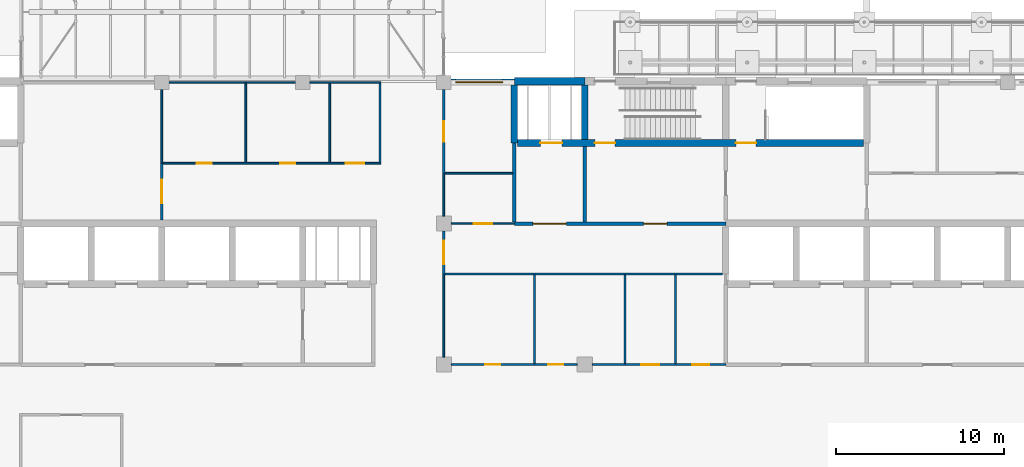
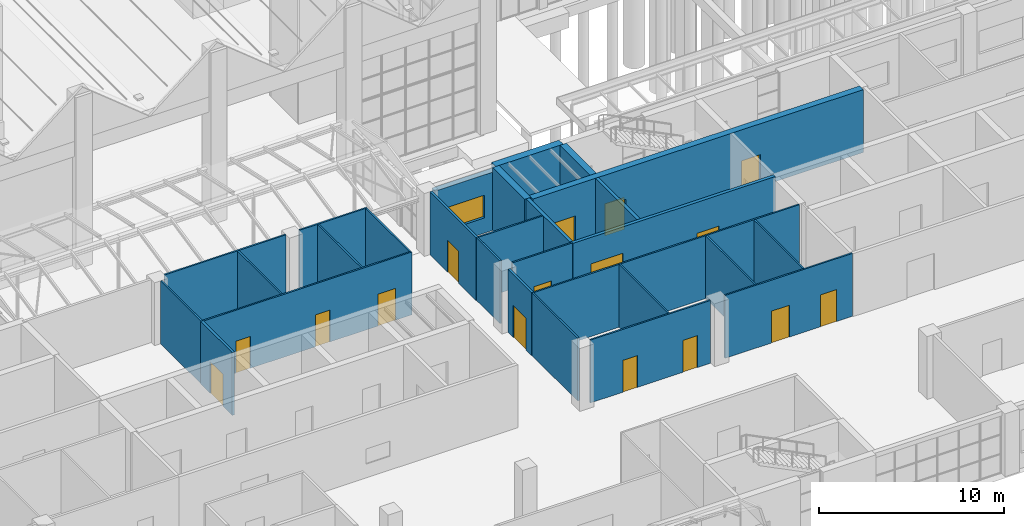
# One storey, part 101 of 138: 28 walls, 16 doors, 1 window, 17 openings.
"""IFC4 building model written with IfcOpenShell, lengths in metres."""

from ifc_helpers import new_model, si_unit, direction, frame, frame_2d, origin, place, context, subcontext, project, spatial, rectangle, extrude, material, layer, layer_set, type_object, element, fill, save


model = new_model("IFC4")

# Units and contexts
model_context = context("Model", 3, precision=1e-05, world=origin(), true_north=direction((0.0, 1.0)))
body_context = subcontext(model_context, "Body", "Model", "MODEL_VIEW")
ifc_project = project(units=[si_unit("LENGTHUNIT", "METRE"), si_unit("AREAUNIT", "SQUARE_METRE"), si_unit("VOLUMEUNIT", "CUBIC_METRE"), si_unit("PLANEANGLEUNIT", "RADIAN"), si_unit("MASSUNIT", "GRAM", prefix="KILO")], contexts=[model_context])

# Site, building, storey
site_placement = place(None, origin())
site = spatial("IfcSite", under=ifc_project, at=site_placement, CompositionType="ELEMENT")
building_placement = place(site_placement, origin())
building = spatial("IfcBuilding", under=site, at=building_placement, Name="Yavir Park General Hospital", CompositionType="ELEMENT")
storey_placement = place(building_placement, origin())
storey = spatial("IfcBuildingStorey", under=building, at=storey_placement, Name="L00", CompositionType="ELEMENT", Elevation=0.0)

# Wall, openings, doors
ifc_material_1 = material(Name="Double gypsum board fire partition on steel studs", Category="steel")
ifc_layer_1 = layer(ifc_material_1, 0.199951171875)
ifc_layer_set_1 = layer_set([ifc_layer_1], Name="Double gypsum board fire partition on steel studs")
wall_type_1 = type_object("IfcWallType", Name="Fire-rated partition 200, EI 60", PredefinedType="PARTITIONING", material=ifc_layer_set_1)
wall_1_placement = place(storey_placement, frame((105.0, 25.199951171875, 0.0), z_axis=(0.0, 0.0, 1.0), x_axis=(1.0, 0.0, 0.0)))
wall_1 = element("IfcWall", 1, at=wall_1_placement, inside=storey, type_object=wall_type_1, Name="FP20 L00-069", PredefinedType="PARTITIONING", context=body_context, shape_type="SweptSolid", body=[
    extrude(rectangle(XDim=12.60009765625, YDim=0.199951171875, at=frame_2d((6.300048828125, 0.0))), origin(), (0.0, 0.0, 1.0), 4.139892578125),
])
opening_1_placement = place(wall_1_placement, frame((1.10009765625, 0.0, 0.0)))
opening_1 = element("IfcOpeningElement", 2, at=opening_1_placement, cuts=wall_1, Name="Opening L00.D064", PredefinedType="OPENING", context=body_context, shape_type="SweptSolid", body=[
    extrude(rectangle(XDim=2.0, YDim=2.39990234375, at=frame_2d((1.0, 1.199951171875))), frame((0.0, 0.10986328125, 0.0), z_axis=(0.0, -1.0, 0.0), x_axis=(1.0, 0.0, 0.0)), (0.0, 0.0, 1.0), 0.219970703125),
])
opening_2_placement = place(wall_1_placement, frame((7.699951171875, 0.0, 0.0)))
opening_2 = element("IfcOpeningElement", 3, at=opening_2_placement, cuts=wall_1, Name="Opening L00.D065", PredefinedType="OPENING", context=body_context, shape_type="SweptSolid", body=[
    extrude(rectangle(XDim=1.39990234375, YDim=2.10009765625, at=frame_2d((0.699951171875, 1.050048828125))), frame((0.0, 0.10986328125, 0.0), z_axis=(0.0, -1.0, 0.0), x_axis=(1.0, 0.0, 0.0)), (0.0, 0.0, 1.0), 0.219970703125),
])
ifc_material_2 = material(Name="Steel frame, fire-resisting leaves with vision panels", Category="steel")
door_type_1 = type_object("IfcDoorType", Name="Double fire door with vision panels 1400 x 2100, EI 60", OperationType="DOUBLE_DOOR_SINGLE_SWING", PredefinedType="DOOR", material=ifc_material_2)
door_1_placement = place(opening_2_placement, origin())
door_1 = element("IfcDoor", 4, at=door_1_placement, inside=storey, type_object=door_type_1, Name="L00.D065", OperationType="SINGLE_SWING_RIGHT", OverallHeight=2.10009765625, OverallWidth=1.39990234375, PredefinedType="DOOR", context=body_context, shape_type="SweptSolid", body=[
    extrude(rectangle(XDim=1.39990234375, YDim=2.10009765625, at=frame_2d((0.699951171875, 1.050048828125))), frame((0.0, 0.030029296875, 0.0), z_axis=(0.0, -1.0, 0.0), x_axis=(1.0, 0.0, 0.0)), (0.0, 0.0, 1.0), 0.06005859375),
])
fill(opening_2, door_1)
ifc_material_3 = material(Name="Steel frame, fire-resisting leaves with vision panels", Category="steel")
door_type_2 = type_object("IfcDoorType", Name="Double fire door with vision panels 2000 x 2400, EI 60", OperationType="DOUBLE_DOOR_SINGLE_SWING", PredefinedType="DOOR", material=ifc_material_3)
door_2_placement = place(opening_1_placement, origin())
door_2 = element("IfcDoor", 5, at=door_2_placement, inside=storey, type_object=door_type_2, Name="L00.D064", OperationType="SINGLE_SWING_RIGHT", OverallHeight=2.39990234375, OverallWidth=2.0, PredefinedType="DOOR", context=body_context, shape_type="SweptSolid", body=[
    extrude(rectangle(XDim=2.0, YDim=2.39990234375, at=frame_2d((1.0, 1.199951171875))), frame((0.0, 0.030029296875, 0.0), z_axis=(0.0, -1.0, 0.0), x_axis=(1.0, 0.0, 0.0)), (0.0, 0.0, 1.0), 0.06005859375),
])
fill(opening_1, door_2)

# Walls
wall_2_placement = place(storey_placement, frame((105.0, 25.300048828125, 0.0), z_axis=(0.0, 0.0, 1.0), x_axis=(0.0, 1.0, 0.0)))
element("IfcWall", 6, at=wall_2_placement, inside=storey, type_object=wall_type_1, Name="FP20 L00-427", PredefinedType="PARTITIONING", context=body_context, shape_type="SweptSolid", body=[
    extrude(rectangle(XDim=4.699951171875, YDim=0.199951171875, at=frame_2d((2.35009765625, 0.0))), origin(), (0.0, 0.0, 1.0), 4.139892578125),
])
wall_3_placement = place(storey_placement, frame((109.199951171875, 25.300048828125, 0.0), z_axis=(0.0, 0.0, 1.0), x_axis=(0.0, 1.0, 0.0)))
element("IfcWall", 7, at=wall_3_placement, inside=storey, type_object=wall_type_1, Name="FP20 L00-433", PredefinedType="PARTITIONING", context=body_context, shape_type="SweptSolid", body=[
    extrude(rectangle(XDim=4.5, YDim=0.199951171875, at=frame_2d((2.25, 0.0))), origin(), (0.0, 0.0, 1.0), 4.139892578125),
])

# Wall, openings, doors
ifc_material_4 = material(Name="Gypsum board partition on steel studs", Category="steel")
ifc_layer_2 = layer(ifc_material_4, 0.10009765625)
ifc_layer_set_2 = layer_set([ifc_layer_2], Name="Gypsum board partition on steel studs")
wall_type_2 = type_object("IfcWallType", Name="Gypsum board partition 100", PredefinedType="PARTITIONING", material=ifc_layer_set_2)
wall_4_placement = place(storey_placement, frame((101.25, 16.800048828125, 0.0), z_axis=(0.0, 0.0, 1.0), x_axis=(1.0, 0.0, 0.0)))
wall_4 = element("IfcWall", 8, at=wall_4_placement, inside=storey, type_object=wall_type_2, Name="P10 L00-042", PredefinedType="PARTITIONING", context=body_context, shape_type="SweptSolid", body=[
    extrude(rectangle(XDim=7.5, YDim=0.10009765625, at=frame_2d((3.75, 0.0))), origin(), (0.0, 0.0, 1.0), 4.139892578125),
])
opening_3_placement = place(wall_4_placement, frame((2.02490234375, 0.0, 0.0)))
opening_3 = element("IfcOpeningElement", 9, at=opening_3_placement, cuts=wall_4, Name="Opening L00.D038", PredefinedType="OPENING", context=body_context, shape_type="SweptSolid", body=[
    extrude(rectangle(XDim=0.89990234375, YDim=2.10009765625, at=frame_2d((0.449951171875, 1.050048828125))), frame((0.0, 0.06005859375, 0.0), z_axis=(0.0, -1.0, 0.0), x_axis=(1.0, 0.0, 0.0)), (0.0, 0.0, 1.0), 0.1201171875),
])
opening_4_placement = place(wall_4_placement, frame((5.77490234375, 0.0, 0.0)))
opening_4 = element("IfcOpeningElement", 10, at=opening_4_placement, cuts=wall_4, Name="Opening L00.D039", PredefinedType="OPENING", context=body_context, shape_type="SweptSolid", body=[
    extrude(rectangle(XDim=0.89990234375, YDim=2.10009765625, at=frame_2d((0.449951171875, 1.050048828125))), frame((0.0, 0.06005859375, 0.0), z_axis=(0.0, -1.0, 0.0), x_axis=(1.0, 0.0, 0.0)), (0.0, 0.0, 1.0), 0.1201171875),
])
ifc_material_5 = material(Name="Timber frame, hollow-core leaf", Category="wood")
door_type_3 = type_object("IfcDoorType", Name="Light cupboard door 900 x 2100", OperationType="SINGLE_SWING_LEFT", PredefinedType="DOOR", material=ifc_material_5)
door_3_placement = place(opening_3_placement, origin())
door_3 = element("IfcDoor", 11, at=door_3_placement, inside=storey, type_object=door_type_3, Name="L00.D038", OperationType="SINGLE_SWING_RIGHT", OverallHeight=2.10009765625, OverallWidth=0.89990234375, PredefinedType="DOOR", context=body_context, shape_type="SweptSolid", body=[
    extrude(rectangle(XDim=0.89990234375, YDim=2.10009765625, at=frame_2d((0.449951171875, 1.050048828125))), frame((0.0, 0.02001953125, 0.0), z_axis=(0.0, -1.0, 0.0), x_axis=(1.0, 0.0, 0.0)), (0.0, 0.0, 1.0), 0.0400390625),
])
fill(opening_3, door_3)
door_4_placement = place(opening_4_placement, origin())
door_4 = element("IfcDoor", 12, at=door_4_placement, inside=storey, type_object=door_type_3, Name="L00.D039", OperationType="SINGLE_SWING_LEFT", OverallHeight=2.10009765625, OverallWidth=0.89990234375, PredefinedType="DOOR", context=body_context, shape_type="SweptSolid", body=[
    extrude(rectangle(XDim=0.89990234375, YDim=2.10009765625, at=frame_2d((0.449951171875, 1.050048828125))), frame((0.0, 0.02001953125, 0.0), z_axis=(0.0, -1.0, 0.0), x_axis=(1.0, 0.0, 0.0)), (0.0, 0.0, 1.0), 0.0400390625),
])
fill(opening_4, door_4)

wall_5_placement = place(storey_placement, frame((109.64990234375, 16.800048828125, 0.0), z_axis=(0.0, 0.0, 1.0), x_axis=(1.0, 0.0, 0.0)))
wall_5 = element("IfcWall", 13, at=wall_5_placement, inside=storey, type_object=wall_type_2, Name="P10 L00-043", PredefinedType="PARTITIONING", context=body_context, shape_type="SweptSolid", body=[
    extrude(rectangle(XDim=7.9501953125, YDim=0.10009765625, at=frame_2d((3.97509765625, 0.0))), origin(), (0.0, 0.0, 1.0), 4.139892578125),
])
opening_5_placement = place(wall_5_placement, frame((2.89990234375, 0.0, 0.0)))
opening_5 = element("IfcOpeningElement", 14, at=opening_5_placement, cuts=wall_5, Name="Opening L00.D040", PredefinedType="OPENING", context=body_context, shape_type="SweptSolid", body=[
    extrude(rectangle(XDim=1.10009765625, YDim=2.10009765625, at=frame_2d((0.550048828125, 1.050048828125))), frame((0.0, 0.06005859375, 0.0), z_axis=(0.0, -1.0, 0.0), x_axis=(1.0, 0.0, 0.0)), (0.0, 0.0, 1.0), 0.1201171875),
])
opening_6_placement = place(wall_5_placement, frame((5.949951171875, 0.0, 0.0)))
opening_6 = element("IfcOpeningElement", 15, at=opening_6_placement, cuts=wall_5, Name="Opening L00.D041", PredefinedType="OPENING", context=body_context, shape_type="SweptSolid", body=[
    extrude(rectangle(XDim=1.0, YDim=2.10009765625, at=frame_2d((0.5, 1.050048828125))), frame((0.0, 0.06005859375, 0.0), z_axis=(0.0, -1.0, 0.0), x_axis=(1.0, 0.0, 0.0)), (0.0, 0.0, 1.0), 0.1201171875),
])
ifc_material_6 = material(Name="Hollow metal frame, solid-core timber leaf", Category="wood")
door_type_4 = type_object("IfcDoorType", Name="Single swing door 1000 x 2100", OperationType="SINGLE_SWING_LEFT", PredefinedType="DOOR", material=ifc_material_6)
door_5_placement = place(opening_6_placement, origin())
door_5 = element("IfcDoor", 16, at=door_5_placement, inside=storey, type_object=door_type_4, Name="L00.D041", OperationType="SINGLE_SWING_RIGHT", OverallHeight=2.10009765625, OverallWidth=1.0, PredefinedType="DOOR", context=body_context, shape_type="SweptSolid", body=[
    extrude(rectangle(XDim=1.0, YDim=2.10009765625, at=frame_2d((0.5, 1.050048828125))), frame((0.0, 0.02490234375, 0.0), z_axis=(0.0, -1.0, 0.0), x_axis=(1.0, 0.0, 0.0)), (0.0, 0.0, 1.0), 0.050048828125),
])
fill(opening_6, door_5)
ifc_material_7 = material(Name="Hollow metal frame, solid-core timber leaf", Category="wood")
door_type_5 = type_object("IfcDoorType", Name="Single swing door 1100 x 2100", OperationType="SINGLE_SWING_LEFT", PredefinedType="DOOR", material=ifc_material_7)
door_6_placement = place(opening_5_placement, origin())
door_6 = element("IfcDoor", 17, at=door_6_placement, inside=storey, type_object=door_type_5, Name="L00.D040", OperationType="SINGLE_SWING_LEFT", OverallHeight=2.10009765625, OverallWidth=1.10009765625, PredefinedType="DOOR", context=body_context, shape_type="SweptSolid", body=[
    extrude(rectangle(XDim=1.10009765625, YDim=2.10009765625, at=frame_2d((0.550048828125, 1.050048828125))), frame((0.0, 0.02490234375, 0.0), z_axis=(0.0, -1.0, 0.0), x_axis=(1.0, 0.0, 0.0)), (0.0, 0.0, 1.0), 0.050048828125),
])
fill(opening_5, door_6)

# Wall
wall_6_placement = place(storey_placement, frame((100.875, 22.199951171875, 0.0), z_axis=(0.0, 0.0, 1.0), x_axis=(1.0, 0.0, 0.0)))
element("IfcWall", 18, at=wall_6_placement, inside=storey, type_object=wall_type_2, Name="P10 L00-056", PredefinedType="PARTITIONING", context=body_context, shape_type="SweptSolid", body=[
    extrude(rectangle(XDim=16.52490234375, YDim=0.10009765625, at=frame_2d((8.262451171875, 0.0))), origin(), (0.0, 0.0, 1.0), 4.139892578125),
])

# Wall, opening, door
wall_7_placement = place(storey_placement, frame((101.25, 25.199951171875, 0.0), z_axis=(0.0, 0.0, 1.0), x_axis=(1.0, 0.0, 0.0)))
wall_7 = element("IfcWall", 19, at=wall_7_placement, inside=storey, type_object=wall_type_2, Name="P10 L00-068", PredefinedType="PARTITIONING", context=body_context, shape_type="SweptSolid", body=[
    extrude(rectangle(XDim=3.75, YDim=0.10009765625, at=frame_2d((1.875, 0.0))), origin(), (0.0, 0.0, 1.0), 4.139892578125),
])
opening_7_placement = place(wall_7_placement, frame((1.324951171875, 0.0, 0.0)))
opening_7 = element("IfcOpeningElement", 20, at=opening_7_placement, cuts=wall_7, Name="Opening L00.D063", PredefinedType="OPENING", context=body_context, shape_type="SweptSolid", body=[
    extrude(rectangle(XDim=1.10009765625, YDim=2.10009765625, at=frame_2d((0.550048828125, 1.050048828125))), frame((0.0, 0.06005859375, 0.0), z_axis=(0.0, -1.0, 0.0), x_axis=(1.0, 0.0, 0.0)), (0.0, 0.0, 1.0), 0.1201171875),
])
door_7_placement = place(opening_7_placement, origin())
door_7 = element("IfcDoor", 21, at=door_7_placement, inside=storey, type_object=door_type_5, Name="L00.D063", OperationType="SINGLE_SWING_RIGHT", OverallHeight=2.10009765625, OverallWidth=1.10009765625, PredefinedType="DOOR", context=body_context, shape_type="SweptSolid", body=[
    extrude(rectangle(XDim=1.10009765625, YDim=2.10009765625, at=frame_2d((0.550048828125, 1.050048828125))), frame((0.0, 0.02490234375, 0.0), z_axis=(0.0, -1.0, 0.0), x_axis=(1.0, 0.0, 0.0)), (0.0, 0.0, 1.0), 0.050048828125),
])
fill(opening_7, door_7)

# Wall
wall_8_placement = place(storey_placement, frame((100.875, 28.199951171875, 0.0), z_axis=(0.0, 0.0, 1.0), x_axis=(1.0, 0.0, 0.0)))
element("IfcWall", 22, at=wall_8_placement, inside=storey, type_object=wall_type_2, Name="P10 L00-075", PredefinedType="PARTITIONING", context=body_context, shape_type="SweptSolid", body=[
    extrude(rectangle(XDim=4.02490234375, YDim=0.10009765625, at=frame_2d((2.012451171875, 0.0))), origin(), (0.0, 0.0, 1.0), 4.139892578125),
])

# Wall, openings, doors
wall_9_placement = place(storey_placement, frame((84.074951171875, 28.800048828125, 0.0), z_axis=(0.0, 0.0, 1.0), x_axis=(1.0, 0.0, 0.0)))
wall_9 = element("IfcWall", 23, at=wall_9_placement, inside=storey, type_object=wall_type_2, Name="P10 L00-078", PredefinedType="PARTITIONING", context=body_context, shape_type="SweptSolid", body=[
    extrude(rectangle(XDim=12.97509765625, YDim=0.10009765625, at=frame_2d((6.487548828125, 0.0))), origin(), (0.0, 0.0, 1.0), 4.139892578125),
])
opening_8_placement = place(wall_9_placement, frame((2.012451171875, 0.0, 0.0)))
opening_8 = element("IfcOpeningElement", 24, at=opening_8_placement, cuts=wall_9, Name="Opening L00.D072", PredefinedType="OPENING", context=body_context, shape_type="SweptSolid", body=[
    extrude(rectangle(XDim=0.89990234375, YDim=2.10009765625, at=frame_2d((0.449951171875, 1.050048828125))), frame((0.0, 0.06005859375, 0.0), z_axis=(0.0, -1.0, 0.0), x_axis=(1.0, 0.0, 0.0)), (0.0, 0.0, 1.0), 0.1201171875),
])
opening_9_placement = place(wall_9_placement, frame((6.97509765625, 0.0, 0.0)))
opening_9 = element("IfcOpeningElement", 25, at=opening_9_placement, cuts=wall_9, Name="Opening L00.D073", PredefinedType="OPENING", context=body_context, shape_type="SweptSolid", body=[
    extrude(rectangle(XDim=0.89990234375, YDim=2.10009765625, at=frame_2d((0.449951171875, 1.050048828125))), frame((0.0, 0.06005859375, 0.0), z_axis=(0.0, -1.0, 0.0), x_axis=(1.0, 0.0, 0.0)), (0.0, 0.0, 1.0), 0.1201171875),
])
opening_10_placement = place(wall_9_placement, frame((10.875, 0.0, 0.0)))
opening_10 = element("IfcOpeningElement", 26, at=opening_10_placement, cuts=wall_9, Name="Opening L00.D074", PredefinedType="OPENING", context=body_context, shape_type="SweptSolid", body=[
    extrude(rectangle(XDim=1.10009765625, YDim=2.10009765625, at=frame_2d((0.550048828125, 1.050048828125))), frame((0.0, 0.06005859375, 0.0), z_axis=(0.0, -1.0, 0.0), x_axis=(1.0, 0.0, 0.0)), (0.0, 0.0, 1.0), 0.1201171875),
])
door_8_placement = place(opening_8_placement, origin())
door_8 = element("IfcDoor", 27, at=door_8_placement, inside=storey, type_object=door_type_3, Name="L00.D072", OperationType="SINGLE_SWING_LEFT", OverallHeight=2.10009765625, OverallWidth=0.89990234375, PredefinedType="DOOR", context=body_context, shape_type="SweptSolid", body=[
    extrude(rectangle(XDim=0.89990234375, YDim=2.10009765625, at=frame_2d((0.449951171875, 1.050048828125))), frame((0.0, 0.02001953125, 0.0), z_axis=(0.0, -1.0, 0.0), x_axis=(1.0, 0.0, 0.0)), (0.0, 0.0, 1.0), 0.0400390625),
])
fill(opening_8, door_8)
door_9_placement = place(opening_9_placement, origin())
door_9 = element("IfcDoor", 28, at=door_9_placement, inside=storey, type_object=door_type_3, Name="L00.D073", OperationType="SINGLE_SWING_RIGHT", OverallHeight=2.10009765625, OverallWidth=0.89990234375, PredefinedType="DOOR", context=body_context, shape_type="SweptSolid", body=[
    extrude(rectangle(XDim=0.89990234375, YDim=2.10009765625, at=frame_2d((0.449951171875, 1.050048828125))), frame((0.0, 0.02001953125, 0.0), z_axis=(0.0, -1.0, 0.0), x_axis=(1.0, 0.0, 0.0)), (0.0, 0.0, 1.0), 0.0400390625),
])
fill(opening_9, door_9)
door_10_placement = place(opening_10_placement, origin())
door_10 = element("IfcDoor", 29, at=door_10_placement, inside=storey, type_object=door_type_5, Name="L00.D074", OperationType="SINGLE_SWING_RIGHT", OverallHeight=2.10009765625, OverallWidth=1.10009765625, PredefinedType="DOOR", context=body_context, shape_type="SweptSolid", body=[
    extrude(rectangle(XDim=1.10009765625, YDim=2.10009765625, at=frame_2d((0.550048828125, 1.050048828125))), frame((0.0, 0.02490234375, 0.0), z_axis=(0.0, -1.0, 0.0), x_axis=(1.0, 0.0, 0.0)), (0.0, 0.0, 1.0), 0.050048828125),
])
fill(opening_10, door_10)

# Walls
wall_10_placement = place(storey_placement, frame((84.425048828125, 33.60009765625, 0.0), z_axis=(0.0, 0.0, 1.0), x_axis=(1.0, 0.0, 0.0)))
element("IfcWall", 30, at=wall_10_placement, inside=storey, type_object=wall_type_2, Name="P10 L00-090", PredefinedType="PARTITIONING", context=body_context, shape_type="SweptSolid", body=[
    extrude(rectangle(XDim=7.550048828125, YDim=0.10009765625, at=frame_2d((3.77490234375, 0.0))), origin(), (0.0, 0.0, 1.0), 4.139892578125),
])
wall_11_placement = place(storey_placement, frame((92.824951171875, 33.60009765625, 0.0), z_axis=(0.0, 0.0, 1.0), x_axis=(1.0, 0.0, 0.0)))
element("IfcWall", 31, at=wall_11_placement, inside=storey, type_object=wall_type_2, Name="P10 L00-091", PredefinedType="PARTITIONING", context=body_context, shape_type="SweptSolid", body=[
    extrude(rectangle(XDim=4.22509765625, YDim=0.10009765625, at=frame_2d((2.112548828125, 0.0))), origin(), (0.0, 0.0, 1.0), 4.139892578125),
])
wall_12_placement = place(storey_placement, frame((84.0, 28.800048828125, 0.0), z_axis=(0.0, 0.0, 1.0), x_axis=(0.0, 1.0, 0.0)))
element("IfcWall", 32, at=wall_12_placement, inside=storey, type_object=wall_type_2, Name="P10 L00-406", PredefinedType="PARTITIONING", context=body_context, shape_type="SweptSolid", body=[
    extrude(rectangle(XDim=4.375, YDim=0.10009765625, at=frame_2d((2.1875, 0.0))), origin(), (0.0, 0.0, 1.0), 4.139892578125),
])
for number, where, z_axis, x_axis, name in (
    (33, (89.0, 28.85009765625, 0.0), (0.0, 0.0, 1.0), (0.0, 1.0, 0.0), "P10 L00-409"),
    (34, (94.0, 28.85009765625, 0.0), (0.0, 0.0, 1.0), (0.0, 1.0, 0.0), "P10 L00-412"),
    (35, (97.0, 28.85009765625, 0.0), (0.0, 0.0, 1.0), (0.0, 1.0, 0.0), "P10 L00-415"),
):
    element("IfcWall", number, at=place(storey_placement, frame(where, z_axis=z_axis, x_axis=x_axis)), inside=storey, type_object=wall_type_2, Name=name, PredefinedType="PARTITIONING", context=body_context, shape_type="SweptSolid", body=[
        extrude(rectangle(XDim=4.699951171875, YDim=0.10009765625, at=frame_2d((2.35009765625, 0.0))), origin(), (0.0, 0.0, 1.0), 4.139892578125),
    ])
wall_13_placement = place(storey_placement, frame((100.800048828125, 17.25, 0.0), z_axis=(0.0, 0.0, 1.0), x_axis=(0.0, 1.0, 0.0)))
element("IfcWall", 36, at=wall_13_placement, inside=storey, type_object=wall_type_2, Name="P10 L00-419", PredefinedType="PARTITIONING", context=body_context, shape_type="SweptSolid", body=[
    extrude(rectangle(XDim=4.949951171875, YDim=0.10009765625, at=frame_2d((2.47509765625, 0.0))), origin(), (0.0, 0.0, 1.0), 4.139892578125),
])
wall_14_placement = place(storey_placement, frame((100.800048828125, 25.64990234375, 0.0), z_axis=(0.0, 0.0, 1.0), x_axis=(0.0, 1.0, 0.0)))
element("IfcWall", 37, at=wall_14_placement, inside=storey, type_object=wall_type_2, Name="P10 L00-421", PredefinedType="PARTITIONING", context=body_context, shape_type="SweptSolid", body=[
    extrude(rectangle(XDim=2.550048828125, YDim=0.10009765625, at=frame_2d((1.27490234375, 0.0))), origin(), (0.0, 0.0, 1.0), 4.139892578125),
])
for number, where, z_axis, x_axis, name in (
    (38, (106.199951171875, 16.85009765625, 0.0), (0.0, 0.0, 1.0), (0.0, 1.0, 0.0), "P10 L00-429"),
    (39, (111.60009765625, 16.85009765625, 0.0), (0.0, 0.0, 1.0), (0.0, 1.0, 0.0), "P10 L00-436"),
    (40, (114.60009765625, 16.85009765625, 0.0), (0.0, 0.0, 1.0), (0.0, 1.0, 0.0), "P10 L00-437"),
):
    element("IfcWall", number, at=place(storey_placement, frame(where, z_axis=z_axis, x_axis=x_axis)), inside=storey, type_object=wall_type_2, Name=name, PredefinedType="PARTITIONING", context=body_context, shape_type="SweptSolid", body=[
        extrude(rectangle(XDim=5.2998046875, YDim=0.10009765625, at=frame_2d((2.64990234375, 0.0))), origin(), (0.0, 0.0, 1.0), 4.139892578125),
    ])

# Wall, opening, door
ifc_material_8 = material(Name="Gypsum board partition on steel studs", Category="steel")
ifc_layer_3 = layer(ifc_material_8, 0.14990234375)
ifc_layer_set_3 = layer_set([ifc_layer_3], Name="Gypsum board partition on steel studs")
wall_type_3 = type_object("IfcWallType", Name="Gypsum board partition 150", PredefinedType="PARTITIONING", material=ifc_layer_set_3)
wall_15_placement = place(storey_placement, frame((84.0, 25.39990234375, 0.0), z_axis=(0.0, 0.0, 1.0), x_axis=(0.0, 1.0, 0.0)))
wall_15 = element("IfcWall", 41, at=wall_15_placement, inside=storey, type_object=wall_type_3, Name="P15 L00-405", PredefinedType="PARTITIONING", context=body_context, shape_type="SweptSolid", body=[
    extrude(rectangle(XDim=3.400146484375, YDim=0.14990234375, at=frame_2d((1.7001953125, 0.0))), origin(), (0.0, 0.0, 1.0), 4.139892578125),
])
opening_11_placement = place(wall_15_placement, frame((1.0, 0.0, 0.0)))
opening_11 = element("IfcOpeningElement", 42, at=opening_11_placement, cuts=wall_15, Name="Opening L00.D201", PredefinedType="OPENING", context=body_context, shape_type="SweptSolid", body=[
    extrude(rectangle(XDim=1.39990234375, YDim=2.10009765625, at=frame_2d((0.699951171875, 1.050048828125))), frame((0.0, 0.0849609375, 0.0), z_axis=(0.0, -1.0, 0.0), x_axis=(1.0, 0.0, 0.0)), (0.0, 0.0, 1.0), 0.169921875),
])
ifc_material_9 = material(Name="Hollow metal frame, solid-core timber leaf", Category="wood")
door_type_6 = type_object("IfcDoorType", Name="Double swing door 1400 x 2100", OperationType="DOUBLE_DOOR_SINGLE_SWING", PredefinedType="DOOR", material=ifc_material_9)
door_11_placement = place(opening_11_placement, origin())
door_11 = element("IfcDoor", 43, at=door_11_placement, inside=storey, type_object=door_type_6, Name="L00.D201", OperationType="SINGLE_SWING_RIGHT", OverallHeight=2.10009765625, OverallWidth=1.39990234375, PredefinedType="DOOR", context=body_context, shape_type="SweptSolid", body=[
    extrude(rectangle(XDim=1.39990234375, YDim=2.10009765625, at=frame_2d((0.699951171875, 1.050048828125))), frame((0.0, 0.02490234375, 0.0), z_axis=(0.0, -1.0, 0.0), x_axis=(1.0, 0.0, 0.0)), (0.0, 0.0, 1.0), 0.050048828125),
])
fill(opening_11, door_11)

wall_16_placement = place(storey_placement, frame((100.800048828125, 22.199951171875, 0.0), z_axis=(0.0, 0.0, 1.0), x_axis=(0.0, 1.0, 0.0)))
wall_16 = element("IfcWall", 44, at=wall_16_placement, inside=storey, type_object=wall_type_3, Name="P15 L00-420", PredefinedType="PARTITIONING", context=body_context, shape_type="SweptSolid", body=[
    extrude(rectangle(XDim=2.550048828125, YDim=0.14990234375, at=frame_2d((1.27490234375, 0.0))), origin(), (0.0, 0.0, 1.0), 4.139892578125),
])
opening_12_placement = place(wall_16_placement, frame((0.574951171875, 0.0, 0.0)))
opening_12 = element("IfcOpeningElement", 45, at=opening_12_placement, cuts=wall_16, Name="Opening L00.D204", PredefinedType="OPENING", context=body_context, shape_type="SweptSolid", body=[
    extrude(rectangle(XDim=1.39990234375, YDim=2.10009765625, at=frame_2d((0.699951171875, 1.050048828125))), frame((0.0, 0.0849609375, 0.0), z_axis=(0.0, -1.0, 0.0), x_axis=(1.0, 0.0, 0.0)), (0.0, 0.0, 1.0), 0.169921875),
])
door_12_placement = place(opening_12_placement, origin())
door_12 = element("IfcDoor", 46, at=door_12_placement, inside=storey, type_object=door_type_6, Name="L00.D204", OperationType="SINGLE_SWING_LEFT", OverallHeight=2.10009765625, OverallWidth=1.39990234375, PredefinedType="DOOR", context=body_context, shape_type="SweptSolid", body=[
    extrude(rectangle(XDim=1.39990234375, YDim=2.10009765625, at=frame_2d((0.699951171875, 1.050048828125))), frame((0.0, 0.02490234375, 0.0), z_axis=(0.0, -1.0, 0.0), x_axis=(1.0, 0.0, 0.0)), (0.0, 0.0, 1.0), 0.050048828125),
])
fill(opening_12, door_12)

wall_17_placement = place(storey_placement, frame((100.800048828125, 28.199951171875, 0.0), z_axis=(0.0, 0.0, 1.0), x_axis=(0.0, 1.0, 0.0)))
wall_17 = element("IfcWall", 47, at=wall_17_placement, inside=storey, type_object=wall_type_3, Name="P15 L00-422", PredefinedType="PARTITIONING", context=body_context, shape_type="SweptSolid", body=[
    extrude(rectangle(XDim=4.97509765625, YDim=0.14990234375, at=frame_2d((2.487548828125, 0.0))), origin(), (0.0, 0.0, 1.0), 4.139892578125),
])
opening_13_placement = place(wall_17_placement, frame((1.887451171875, 0.0, 0.0)))
opening_13 = element("IfcOpeningElement", 48, at=opening_13_placement, cuts=wall_17, Name="Opening L00.D205", PredefinedType="OPENING", context=body_context, shape_type="SweptSolid", body=[
    extrude(rectangle(XDim=1.199951171875, YDim=2.10009765625, at=frame_2d((0.60009765625, 1.050048828125))), frame((0.0, 0.0849609375, 0.0), z_axis=(0.0, -1.0, 0.0), x_axis=(1.0, 0.0, 0.0)), (0.0, 0.0, 1.0), 0.169921875),
])
ifc_material_10 = material(Name="Hollow metal frame, solid-core timber leaf", Category="wood")
door_type_7 = type_object("IfcDoorType", Name="Single swing door 1200 x 2100", OperationType="SINGLE_SWING_LEFT", PredefinedType="DOOR", material=ifc_material_10)
door_13_placement = place(opening_13_placement, origin())
door_13 = element("IfcDoor", 49, at=door_13_placement, inside=storey, type_object=door_type_7, Name="L00.D205", OperationType="SINGLE_SWING_LEFT", OverallHeight=2.10009765625, OverallWidth=1.199951171875, PredefinedType="DOOR", context=body_context, shape_type="SweptSolid", body=[
    extrude(rectangle(XDim=1.199951171875, YDim=2.10009765625, at=frame_2d((0.60009765625, 1.050048828125))), frame((0.0, 0.02490234375, 0.0), z_axis=(0.0, -1.0, 0.0), x_axis=(1.0, 0.0, 0.0)), (0.0, 0.0, 1.0), 0.050048828125),
])
fill(opening_13, door_13)

# Wall, opening, window
ifc_material_11 = material(Name="Concrete C30/37 precast panel with 120 mm mineral wool insulation", Category="concrete")
ifc_layer_4 = layer(ifc_material_11, 0.35009765625)
ifc_layer_set_4 = layer_set([ifc_layer_4], Name="Concrete C30/37 precast panel with 120 mm mineral wool insulation")
wall_type_4 = type_object("IfcWallType", Name="Precast cladding panel podium wall 350, E 30", PredefinedType="SOLIDWALL", material=ifc_layer_set_4)
wall_18_placement = place(storey_placement, frame((101.22509765625, 33.625, 0.0), z_axis=(0.0, 0.0, 1.0), x_axis=(1.0, 0.0, 0.0)))
wall_18 = element("IfcWall", 50, at=wall_18_placement, inside=storey, type_object=wall_type_4, Name="XW2 L00-045", PredefinedType="SOLIDWALL", context=body_context, shape_type="SweptSolid", body=[
    extrude(rectangle(XDim=3.77490234375, YDim=0.35009765625, at=frame_2d((1.887451171875, 0.0))), origin(), (0.0, 0.0, 1.0), 3.840087890625),
])
opening_14_placement = place(wall_18_placement, frame((0.27490234375, 0.0, 1.0)))
opening_14 = element("IfcOpeningElement", 51, at=opening_14_placement, cuts=wall_18, Name="Opening WRB2", PredefinedType="OPENING", context=body_context, shape_type="SweptSolid", body=[
    extrude(rectangle(XDim=2.800048828125, YDim=1.5, at=frame_2d((1.39990234375, 0.75))), frame((0.0, 0.18505859375, 0.0), z_axis=(0.0, -1.0, 0.0), x_axis=(1.0, 0.0, 0.0)), (0.0, 0.0, 1.0), 0.3701171875),
])
ifc_material_12 = material(Name="Aluminium frame, double glazed unit", Category="aluminium")
window_type = type_object("IfcWindowType", Name="Tall ribbon window 2800 x 1500", PartitioningType="DOUBLE_PANEL_VERTICAL", PredefinedType="WINDOW", material=ifc_material_12)
window_placement = place(opening_14_placement, origin())
window = element("IfcWindow", 52, at=window_placement, inside=storey, type_object=window_type, Name="WRB2 L00-011", OverallHeight=1.5, OverallWidth=2.800048828125, PartitioningType="DOUBLE_PANEL_VERTICAL", PredefinedType="WINDOW", context=body_context, shape_type="SweptSolid", body=[
    extrude(rectangle(XDim=2.800048828125, YDim=1.5, at=frame_2d((1.39990234375, 0.75))), frame((0.0, 0.030029296875, 0.0), z_axis=(0.0, -1.0, 0.0), x_axis=(1.0, 0.0, 0.0)), (0.0, 0.0, 1.0), 0.06005859375),
])
fill(opening_14, window)

# Wall, openings, doors
ifc_material_13 = material(Name="Concrete C35/45", Category="concrete")
ifc_layer_5 = layer(ifc_material_13, 0.39990234375)
ifc_layer_set_5 = layer_set([ifc_layer_5], Name="Concrete C35/45")
wall_type_5 = type_object("IfcWallType", Name="Reinforced concrete core wall 400, REI 150", PredefinedType="SHEAR", material=ifc_layer_set_5)
wall_19_placement = place(storey_placement, frame((105.199951171875, 30.0, 0.0), z_axis=(0.0, 0.0, 1.0), x_axis=(1.0, 0.0, 0.0)))
wall_19 = element("IfcWall", 53, at=wall_19_placement, inside=storey, type_object=wall_type_5, Name="CW40 L00-082", PredefinedType="SHEAR", context=body_context, shape_type="SweptSolid", body=[
    extrude(rectangle(XDim=20.60009765625, YDim=0.39990234375, at=frame_2d((10.300048828125, 0.0))), origin(), (0.0, 0.0, 1.0), 4.139892578125),
])
opening_15_placement = place(wall_19_placement, frame((1.35009765625, 0.0, 0.0)))
opening_15 = element("IfcOpeningElement", 54, at=opening_15_placement, cuts=wall_19, Name="Opening L00.D079", PredefinedType="OPENING", context=body_context, shape_type="SweptSolid", body=[
    extrude(rectangle(XDim=1.300048828125, YDim=2.10009765625, at=frame_2d((0.64990234375, 1.050048828125))), frame((0.0, 0.2099609375, 0.0), z_axis=(0.0, -1.0, 0.0), x_axis=(1.0, 0.0, 0.0)), (0.0, 0.0, 1.0), 0.419921875),
])
opening_16_placement = place(wall_19_placement, frame((4.60009765625, 0.0, 0.0)))
opening_16 = element("IfcOpeningElement", 55, at=opening_16_placement, cuts=wall_19, Name="Opening L00.D080", PredefinedType="OPENING", context=body_context, shape_type="SweptSolid", body=[
    extrude(rectangle(XDim=1.199951171875, YDim=2.10009765625, at=frame_2d((0.60009765625, 1.050048828125))), frame((0.0, 0.2099609375, 0.0), z_axis=(0.0, -1.0, 0.0), x_axis=(1.0, 0.0, 0.0)), (0.0, 0.0, 1.0), 0.419921875),
])
opening_17_placement = place(wall_19_placement, frame((13.0, 0.0, 0.0)))
opening_17 = element("IfcOpeningElement", 56, at=opening_17_placement, cuts=wall_19, Name="Opening L00.D081", PredefinedType="OPENING", context=body_context, shape_type="SweptSolid", body=[
    extrude(rectangle(XDim=1.199951171875, YDim=2.10009765625, at=frame_2d((0.60009765625, 1.050048828125))), frame((0.0, 0.2099609375, 0.0), z_axis=(0.0, -1.0, 0.0), x_axis=(1.0, 0.0, 0.0)), (0.0, 0.0, 1.0), 0.419921875),
])
ifc_material_14 = material(Name="Steel frame, fire-resisting timber leaf", Category="steel")
door_type_8 = type_object("IfcDoorType", Name="Fire door 1200 x 2100, EI 60", OperationType="SINGLE_SWING_LEFT", PredefinedType="DOOR", material=ifc_material_14)
door_14_placement = place(opening_16_placement, origin())
door_14 = element("IfcDoor", 57, at=door_14_placement, inside=storey, type_object=door_type_8, Name="L00.D080", OperationType="SINGLE_SWING_LEFT", OverallHeight=2.10009765625, OverallWidth=1.199951171875, PredefinedType="DOOR", context=body_context, shape_type="SweptSolid", body=[
    extrude(rectangle(XDim=1.199951171875, YDim=2.10009765625, at=frame_2d((0.60009765625, 1.050048828125))), frame((0.0, 0.02490234375, 0.0), z_axis=(0.0, -1.0, 0.0), x_axis=(1.0, 0.0, 0.0)), (0.0, 0.0, 1.0), 0.050048828125),
])
fill(opening_16, door_14)
door_15_placement = place(opening_17_placement, origin())
door_15 = element("IfcDoor", 58, at=door_15_placement, inside=storey, type_object=door_type_8, Name="L00.D081", OperationType="SINGLE_SWING_LEFT", OverallHeight=2.10009765625, OverallWidth=1.199951171875, PredefinedType="DOOR", context=body_context, shape_type="SweptSolid", body=[
    extrude(rectangle(XDim=1.199951171875, YDim=2.10009765625, at=frame_2d((0.60009765625, 1.050048828125))), frame((0.0, 0.02490234375, 0.0), z_axis=(0.0, -1.0, 0.0), x_axis=(1.0, 0.0, 0.0)), (0.0, 0.0, 1.0), 0.050048828125),
])
fill(opening_17, door_15)
ifc_material_15 = material(Name="Stainless steel landing door panels", Category="steel")
door_type_9 = type_object("IfcDoorType", Name="Lift landing door 1300 x 2100, EI 60", OperationType="SLIDING_TO_LEFT", PredefinedType="DOOR", material=ifc_material_15)
door_16_placement = place(opening_15_placement, origin())
door_16 = element("IfcDoor", 59, at=door_16_placement, inside=storey, type_object=door_type_9, Name="L00.D079", OperationType="SLIDING_TO_LEFT", OverallHeight=2.10009765625, OverallWidth=1.300048828125, PredefinedType="DOOR", context=body_context, shape_type="SweptSolid", body=[
    extrude(rectangle(XDim=1.300048828125, YDim=2.10009765625, at=frame_2d((0.64990234375, 1.050048828125))), frame((0.0, 0.02490234375, 0.0), z_axis=(0.0, -1.0, 0.0), x_axis=(1.0, 0.0, 0.0)), (0.0, 0.0, 1.0), 0.050048828125),
])
fill(opening_15, door_16)

# Walls
wall_20_placement = place(storey_placement, frame((105.0, 30.0, 0.0), z_axis=(0.0, 0.0, 1.0), x_axis=(0.0, 1.0, 0.0)))
element("IfcWall", 60, at=wall_20_placement, inside=storey, type_object=wall_type_5, Name="CW40 L00-428", PredefinedType="SHEAR", context=body_context, shape_type="SweptSolid", body=[
    extrude(rectangle(XDim=3.449951171875, YDim=0.39990234375, at=frame_2d((1.72509765625, 0.0))), origin(), (0.0, 0.0, 1.0), 4.139892578125),
])
wall_21_placement = place(storey_placement, frame((109.199951171875, 30.199951171875, 0.0), z_axis=(0.0, 0.0, 1.0), x_axis=(0.0, 1.0, 0.0)))
element("IfcWall", 61, at=wall_21_placement, inside=storey, type_object=wall_type_5, Name="CW40 L00-434", PredefinedType="SHEAR", context=body_context, shape_type="SweptSolid", body=[
    extrude(rectangle(XDim=3.25, YDim=0.39990234375, at=frame_2d((1.625, 0.0))), origin(), (0.0, 0.0, 1.0), 4.139892578125),
])
ifc_material_16 = material(Name="Concrete C30/37 precast panel with 150 mm mineral wool insulation", Category="concrete")
ifc_layer_6 = layer(ifc_material_16, 0.449951171875)
ifc_layer_set_6 = layer_set([ifc_layer_6], Name="Concrete C30/37 precast panel with 150 mm mineral wool insulation")
wall_type_6 = type_object("IfcWallType", Name="Stair enclosure wall 450, REI 150", PredefinedType="SOLIDWALL", material=ifc_layer_set_6)
wall_22_placement = place(storey_placement, frame((105.0, 33.675048828125, 0.0), z_axis=(0.0, 0.0, 1.0), x_axis=(1.0, 0.0, 0.0)))
element("IfcWall", 62, at=wall_22_placement, inside=storey, type_object=wall_type_6, Name="XW6 L00-046", PredefinedType="SOLIDWALL", context=body_context, shape_type="SweptSolid", body=[
    extrude(rectangle(XDim=4.199951171875, YDim=0.449951171875, at=frame_2d((2.10009765625, 0.0))), origin(), (0.0, 0.0, 1.0), 4.139892578125),
])

save(model, "model.ifc")
